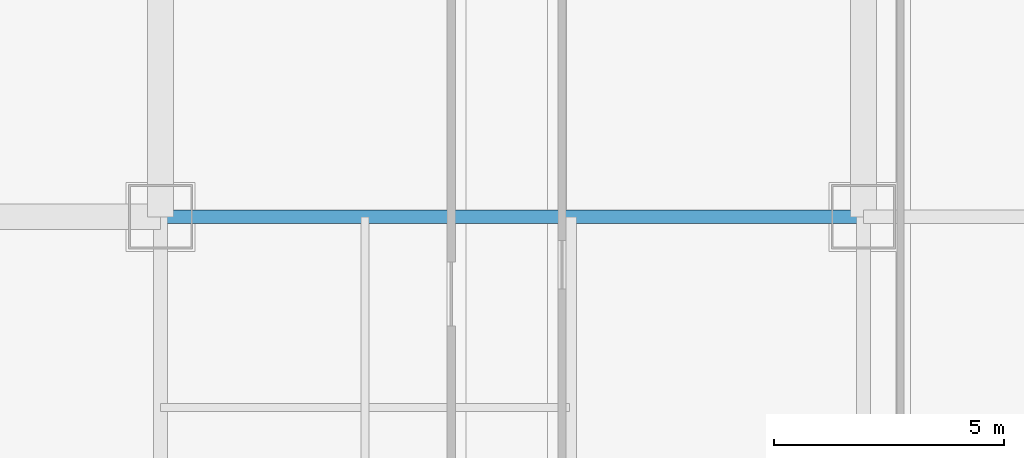
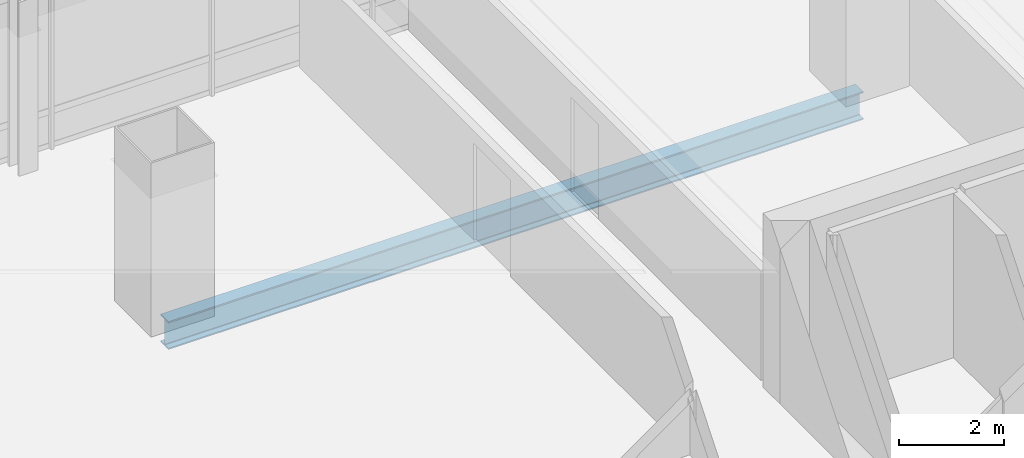
# One storey, part 20 of 38: 1 beam.
"""IFC4 building model written with IfcOpenShell, lengths in metres."""

from ifc_helpers import new_model, si_unit, direction, frame, origin, origin_2d, place, context, subcontext, project, spatial, i_section, extrude, material, material_profile, profile_set, type_object, element, save


model = new_model("IFC4")

# Units and contexts
model_context = context("Model", 3, precision=1e-05, world=origin(), true_north=direction((0.0, 1.0)))
body_context = subcontext(model_context, "Body", "Model", "MODEL_VIEW")
ifc_project = project(units=[si_unit("LENGTHUNIT", "METRE"), si_unit("AREAUNIT", "SQUARE_METRE"), si_unit("VOLUMEUNIT", "CUBIC_METRE"), si_unit("PLANEANGLEUNIT", "RADIAN"), si_unit("MASSUNIT", "GRAM", prefix="KILO")], contexts=[model_context])

# Site, building, storey
site_placement = place(None, origin())
site = spatial("IfcSite", under=ifc_project, at=site_placement, CompositionType="ELEMENT")
building_placement = place(site_placement, origin())
building = spatial("IfcBuilding", under=site, at=building_placement, Name="Punatoya Terracotta Tower", CompositionType="ELEMENT")
storey_placement = place(building_placement, frame((0.0, 0.0, 143.85009765625)))
storey = spatial("IfcBuildingStorey", under=building, at=storey_placement, Name="L33", CompositionType="ELEMENT", Elevation=143.85009765625)

# Beam
ifc_material = material(Name="Steel S355", Category="steel")
ifc_material_profile = material_profile(ifc_material, i_section(OverallWidth=0.300048828125, OverallDepth=0.64990234375, WebThickness=0.01611328125, FlangeThickness=0.031005859375, FilletRadius=0.01806640625, at=origin_2d()))
ifc_profile_set = profile_set([ifc_material_profile], Name="Steel S355")
beam_type = type_object("IfcBeamType", Name="BM-PRI-650", PredefinedType="BEAM", material=ifc_profile_set)
beam_placement = place(storey_placement, frame((-19.10009765625, 17.5, -0.545166015625), z_axis=(1.0, 0.0, 0.0), x_axis=(0.0, 1.0, 0.0)))
element("IfcBeam", 1, at=beam_placement, inside=storey, type_object=beam_type, Name="BM-L33-RG-N1", PredefinedType="BEAM", context=body_context, shape_type="SweptSolid", body=[
    extrude(i_section(OverallWidth=0.300048828125, OverallDepth=0.64990234375, WebThickness=0.01611328125, FlangeThickness=0.031005859375, FilletRadius=0.01806640625, at=origin_2d()), origin(), (0.0, 0.0, 1.0), 15.300048828125),
])

save(model, "model.ifc")
